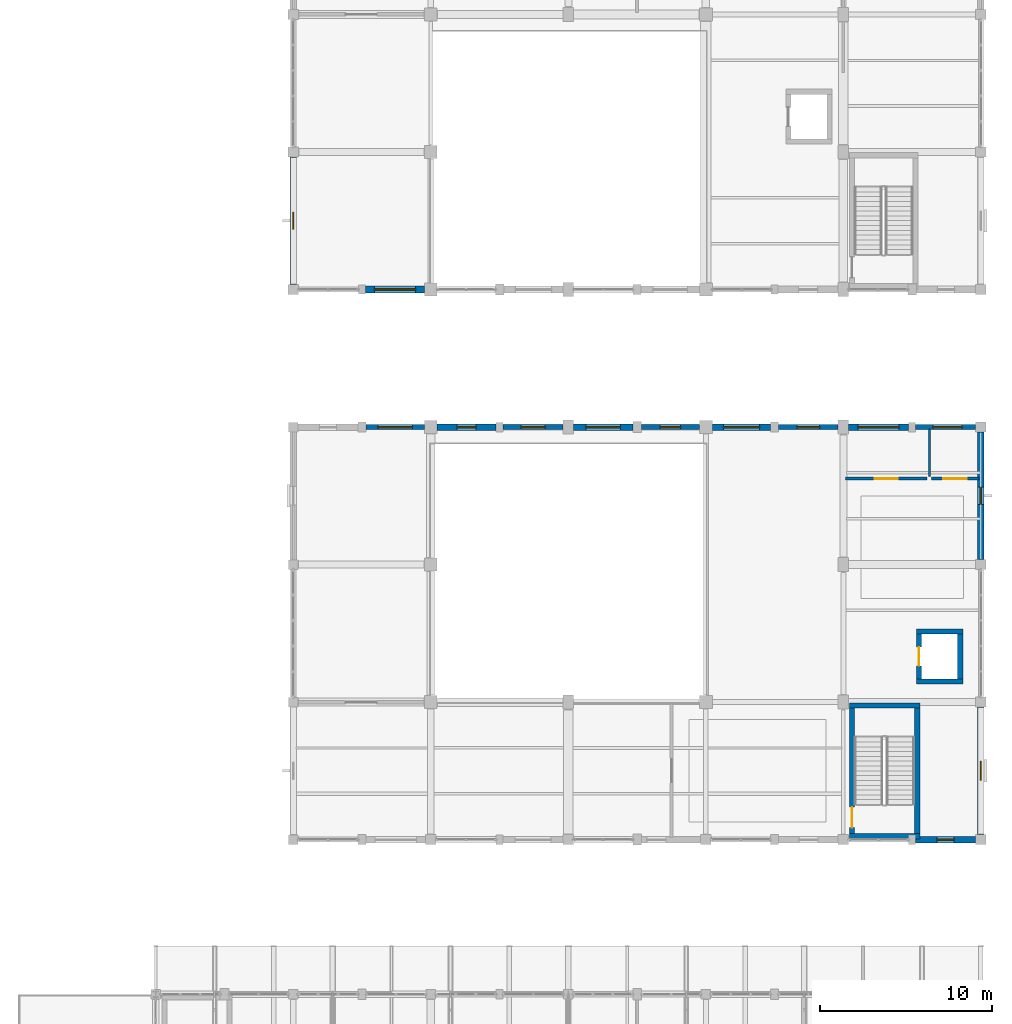
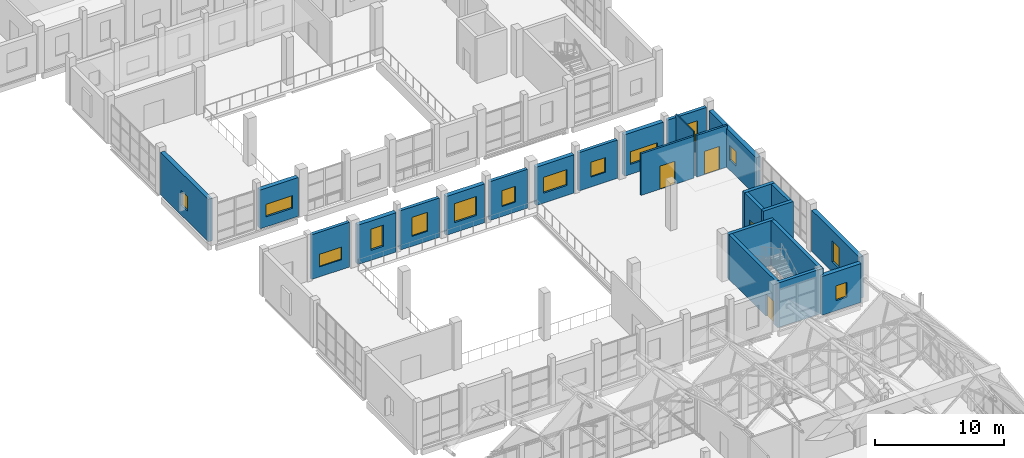
# One storey, part 149 of 183: 25 walls, 14 windows, 4 doors, 18 openings.
"""IFC4 building model written with IfcOpenShell, lengths in metres."""

from ifc_helpers import new_model, si_unit, direction, frame, frame_2d, origin, place, context, subcontext, project, spatial, rectangle, extrude, material, layer, layer_set, type_object, element, fill, save


model = new_model("IFC4")

# Units and contexts
model_context = context("Model", 3, precision=1e-05, world=origin(), true_north=direction((0.0, 1.0)))
body_context = subcontext(model_context, "Body", "Model", "MODEL_VIEW")
ifc_project = project(units=[si_unit("LENGTHUNIT", "METRE"), si_unit("AREAUNIT", "SQUARE_METRE"), si_unit("VOLUMEUNIT", "CUBIC_METRE"), si_unit("PLANEANGLEUNIT", "RADIAN"), si_unit("MASSUNIT", "GRAM", prefix="KILO")], contexts=[model_context])

# Site, building, storey
site_placement = place(None, origin())
site = spatial("IfcSite", under=ifc_project, at=site_placement, CompositionType="ELEMENT")
building_placement = place(site_placement, origin())
building = spatial("IfcBuilding", under=site, at=building_placement, Name="Luwemba Playhouse", CompositionType="ELEMENT")
storey_placement = place(building_placement, frame((0.0, 0.0, 4.800048828125)))
storey = spatial("IfcBuildingStorey", under=building, at=storey_placement, Name="L01", CompositionType="ELEMENT", Elevation=4.800048828125)

# Wall, opening, window
ifc_material_1 = material(Name="Clay facing brick obra vista masonry", Category="masonry")
ifc_layer_1 = layer(ifc_material_1, 0.3798828125)
ifc_layer_set_1 = layer_set([ifc_layer_1], Name="Clay facing brick obra vista masonry")
wall_type_1 = type_object("IfcWallType", Name="WAL-BRK-380", PredefinedType="SOLIDWALL", material=ifc_layer_set_1)
wall_1_placement = place(storey_placement, frame((140.375, 60.0, 0.0), z_axis=(0.0, 0.0, 1.0), x_axis=(1.0, 0.0, 0.0)))
wall_1 = element("IfcWall", 1, at=wall_1_placement, inside=storey, type_object=wall_type_1, Name="L01 V3 exterior facade wall 0166", PredefinedType="SOLIDWALL", context=body_context, shape_type="SweptSolid", body=[
    extrude(rectangle(XDim=3.425048828125, YDim=0.3798828125, at=frame_2d((1.71240234375, 0.0))), origin(), (0.0, 0.0, 1.0), 3.73486328125),
])
opening_1_placement = place(wall_1_placement, frame((1.16259765625, 0.0, 0.949951171875)))
opening_1 = element("IfcOpeningElement", 2, at=opening_1_placement, cuts=wall_1, Name="Opening WN-19", PredefinedType="OPENING", context=body_context, shape_type="SweptSolid", body=[
    extrude(rectangle(XDim=1.10009765625, YDim=2.0, at=frame_2d((0.550048828125, 1.0))), frame((0.0, 0.199951171875, 0.0), z_axis=(0.0, -1.0, 0.0), x_axis=(1.0, 0.0, 0.0)), (0.0, 0.0, 1.0), 0.39990234375),
])
ifc_material_2 = material(Name="Solar-control double glazing in aluminium frame", Category="aluminium")
window_type_1 = type_object("IfcWindowType", Name="WIN-WN-19", PartitioningType="SINGLE_PANEL", PredefinedType="WINDOW", material=ifc_material_2)
window_1_placement = place(opening_1_placement, origin())
window_1 = element("IfcWindow", 3, at=window_1_placement, inside=storey, type_object=window_type_1, Name="L01 V3 scheduled window 0115", OverallHeight=2.0, OverallWidth=1.10009765625, PartitioningType="SINGLE_PANEL", PredefinedType="WINDOW", context=body_context, shape_type="SweptSolid", body=[
    extrude(rectangle(XDim=1.10009765625, YDim=2.0, at=frame_2d((0.550048828125, 1.0))), frame((0.0, 0.030029296875, 0.0), z_axis=(0.0, -1.0, 0.0), x_axis=(1.0, 0.0, 0.0)), (0.0, 0.0, 1.0), 0.06005859375),
])
fill(opening_1, window_1)

wall_2_placement = place(storey_placement, frame((148.300048828125, 60.0, 0.0), z_axis=(0.0, 0.0, 1.0), x_axis=(1.0, 0.0, 0.0)))
wall_2 = element("IfcWall", 4, at=wall_2_placement, inside=storey, type_object=wall_type_1, Name="L01 V3 exterior facade wall 0168", PredefinedType="SOLIDWALL", context=body_context, shape_type="SweptSolid", body=[
    extrude(rectangle(XDim=3.449951171875, YDim=0.3798828125, at=frame_2d((1.72509765625, 0.0))), origin(), (0.0, 0.0, 1.0), 3.68505859375),
])
opening_2_placement = place(wall_2_placement, frame((0.72509765625, 0.0, 0.949951171875)))
opening_2 = element("IfcOpeningElement", 5, at=opening_2_placement, cuts=wall_2, Name="Opening WN-05", PredefinedType="OPENING", context=body_context, shape_type="SweptSolid", body=[
    extrude(rectangle(XDim=2.0, YDim=1.800048828125, at=frame_2d((1.0, 0.89990234375))), frame((0.0, 0.199951171875, 0.0), z_axis=(0.0, -1.0, 0.0), x_axis=(1.0, 0.0, 0.0)), (0.0, 0.0, 1.0), 0.39990234375),
])
window_type_2 = type_object("IfcWindowType", Name="WIN-WN-05", PartitioningType="TRIPLE_PANEL_VERTICAL", PredefinedType="WINDOW", material=ifc_material_2)
window_2_placement = place(opening_2_placement, origin())
window_2 = element("IfcWindow", 6, at=window_2_placement, inside=storey, type_object=window_type_2, Name="L01 V3 scheduled window 0117", OverallHeight=1.800048828125, OverallWidth=2.0, PartitioningType="TRIPLE_PANEL_VERTICAL", PredefinedType="WINDOW", context=body_context, shape_type="SweptSolid", body=[
    extrude(rectangle(XDim=2.0, YDim=1.800048828125, at=frame_2d((1.0, 0.89990234375))), frame((0.0, 0.030029296875, 0.0), z_axis=(0.0, -1.0, 0.0), x_axis=(1.0, 0.0, 0.0)), (0.0, 0.0, 1.0), 0.06005859375),
])
fill(opening_2, window_2)

wall_3_placement = place(storey_placement, frame((156.375, 60.0, 0.0), z_axis=(0.0, 0.0, 1.0), x_axis=(1.0, 0.0, 0.0)))
wall_3 = element("IfcWall", 7, at=wall_3_placement, inside=storey, type_object=wall_type_1, Name="L01 V3 exterior facade wall 0170", PredefinedType="SOLIDWALL", context=body_context, shape_type="SweptSolid", body=[
    extrude(rectangle(XDim=3.39990234375, YDim=0.3798828125, at=frame_2d((1.699951171875, 0.0))), origin(), (0.0, 0.0, 1.0), 3.635009765625),
])
opening_3_placement = place(wall_3_placement, frame((0.64990234375, 0.0, 0.949951171875)))
opening_3 = element("IfcOpeningElement", 8, at=opening_3_placement, cuts=wall_3, Name="Opening WN-11", PredefinedType="OPENING", context=body_context, shape_type="SweptSolid", body=[
    extrude(rectangle(XDim=2.10009765625, YDim=1.5, at=frame_2d((1.050048828125, 0.75))), frame((0.0, 0.199951171875, 0.0), z_axis=(0.0, -1.0, 0.0), x_axis=(1.0, 0.0, 0.0)), (0.0, 0.0, 1.0), 0.39990234375),
])
window_type_3 = type_object("IfcWindowType", Name="WIN-WN-11", PartitioningType="TRIPLE_PANEL_VERTICAL", PredefinedType="WINDOW", material=ifc_material_2)
window_3_placement = place(opening_3_placement, origin())
window_3 = element("IfcWindow", 9, at=window_3_placement, inside=storey, type_object=window_type_3, Name="L01 V3 scheduled window 0119", OverallHeight=1.5, OverallWidth=2.10009765625, PartitioningType="TRIPLE_PANEL_VERTICAL", PredefinedType="WINDOW", context=body_context, shape_type="SweptSolid", body=[
    extrude(rectangle(XDim=2.10009765625, YDim=1.5, at=frame_2d((1.050048828125, 0.75))), frame((0.0, 0.030029296875, 0.0), z_axis=(0.0, -1.0, 0.0), x_axis=(1.0, 0.0, 0.0)), (0.0, 0.0, 1.0), 0.06005859375),
])
fill(opening_3, window_3)

wall_4_placement = place(storey_placement, frame((164.300048828125, 60.0, 0.0), z_axis=(0.0, 0.0, 1.0), x_axis=(1.0, 0.0, 0.0)))
wall_4 = element("IfcWall", 10, at=wall_4_placement, inside=storey, type_object=wall_type_1, Name="L01 V3 exterior facade wall 0172", PredefinedType="SOLIDWALL", context=body_context, shape_type="SweptSolid", body=[
    extrude(rectangle(XDim=3.5, YDim=0.3798828125, at=frame_2d((1.75, 0.0))), origin(), (0.0, 0.0, 1.0), 3.93505859375),
])
opening_4_placement = place(wall_4_placement, frame((0.550048828125, 0.0, 0.949951171875)))
opening_4 = element("IfcOpeningElement", 11, at=opening_4_placement, cuts=wall_4, Name="Opening WN-17", PredefinedType="OPENING", context=body_context, shape_type="SweptSolid", body=[
    extrude(rectangle(XDim=2.39990234375, YDim=1.199951171875, at=frame_2d((1.199951171875, 0.60009765625))), frame((0.0, 0.199951171875, 0.0), z_axis=(0.0, -1.0, 0.0), x_axis=(1.0, 0.0, 0.0)), (0.0, 0.0, 1.0), 0.39990234375),
])
window_type_4 = type_object("IfcWindowType", Name="WIN-WN-17", PartitioningType="TRIPLE_PANEL_HORIZONTAL", PredefinedType="WINDOW", material=ifc_material_2)
window_4_placement = place(opening_4_placement, origin())
window_4 = element("IfcWindow", 12, at=window_4_placement, inside=storey, type_object=window_type_4, Name="L01 V3 scheduled window 0121", OverallHeight=1.199951171875, OverallWidth=2.39990234375, PartitioningType="TRIPLE_PANEL_HORIZONTAL", PredefinedType="WINDOW", context=body_context, shape_type="SweptSolid", body=[
    extrude(rectangle(XDim=2.39990234375, YDim=1.199951171875, at=frame_2d((1.199951171875, 0.60009765625))), frame((0.0, 0.030029296875, 0.0), z_axis=(0.0, -1.0, 0.0), x_axis=(1.0, 0.0, 0.0)), (0.0, 0.0, 1.0), 0.06005859375),
])
fill(opening_4, window_4)

wall_5_placement = place(storey_placement, frame((172.0, 59.699951171875, 0.0), z_axis=(0.0, 0.0, 1.0), x_axis=(0.0, -1.0, 0.0)))
wall_5 = element("IfcWall", 13, at=wall_5_placement, inside=storey, type_object=wall_type_1, Name="L01 V3 exterior facade wall 0174", PredefinedType="SOLIDWALL", context=body_context, shape_type="SweptSolid", body=[
    extrude(rectangle(XDim=7.39990234375, YDim=0.3798828125, at=frame_2d((3.699951171875, 0.0))), origin(), (0.0, 0.0, 1.0), 3.68505859375),
])
opening_5_placement = place(wall_5_placement, frame((3.199951171875, 0.0, 0.949951171875)))
opening_5 = element("IfcOpeningElement", 14, at=opening_5_placement, cuts=wall_5, Name="Opening WN-13", PredefinedType="OPENING", context=body_context, shape_type="SweptSolid", body=[
    extrude(rectangle(XDim=1.0, YDim=1.39990234375, at=frame_2d((0.5, 0.699951171875))), frame((0.0, 0.199951171875, 0.0), z_axis=(0.0, -1.0, 0.0), x_axis=(1.0, 0.0, 0.0)), (0.0, 0.0, 1.0), 0.39990234375),
])
window_type_5 = type_object("IfcWindowType", Name="WIN-WN-13", PartitioningType="SINGLE_PANEL", PredefinedType="WINDOW", material=ifc_material_2)
window_5_placement = place(opening_5_placement, origin())
window_5 = element("IfcWindow", 15, at=window_5_placement, inside=storey, type_object=window_type_5, Name="L01 V3 scheduled window 0123", OverallHeight=1.39990234375, OverallWidth=1.0, PartitioningType="SINGLE_PANEL", PredefinedType="WINDOW", context=body_context, shape_type="SweptSolid", body=[
    extrude(rectangle(XDim=1.0, YDim=1.39990234375, at=frame_2d((0.5, 0.699951171875))), frame((0.0, 0.030029296875, 0.0), z_axis=(0.0, -1.0, 0.0), x_axis=(1.0, 0.0, 0.0)), (0.0, 0.0, 1.0), 0.06005859375),
])
fill(opening_5, window_5)

wall_6_placement = place(storey_placement, frame((172.0, 43.699951171875, 0.0), z_axis=(0.0, 0.0, 1.0), x_axis=(0.0, -1.0, 0.0)))
wall_6 = element("IfcWall", 16, at=wall_6_placement, inside=storey, type_object=wall_type_1, Name="L01 V3 exterior facade wall 0175", PredefinedType="SOLIDWALL", context=body_context, shape_type="SweptSolid", body=[
    extrude(rectangle(XDim=7.39990234375, YDim=0.3798828125, at=frame_2d((3.699951171875, 0.0))), origin(), (0.0, 0.0, 1.0), 3.93505859375),
])
opening_6_placement = place(wall_6_placement, frame((3.14990234375, 0.0, 0.949951171875)))
opening_6 = element("IfcOpeningElement", 17, at=opening_6_placement, cuts=wall_6, Name="Opening WN-19", PredefinedType="OPENING", context=body_context, shape_type="SweptSolid", body=[
    extrude(rectangle(XDim=1.10009765625, YDim=2.0, at=frame_2d((0.550048828125, 1.0))), frame((0.0, 0.199951171875, 0.0), z_axis=(0.0, -1.0, 0.0), x_axis=(1.0, 0.0, 0.0)), (0.0, 0.0, 1.0), 0.39990234375),
])
window_6_placement = place(opening_6_placement, origin())
window_6 = element("IfcWindow", 18, at=window_6_placement, inside=storey, type_object=window_type_1, Name="L01 V3 scheduled window 0124", OverallHeight=2.0, OverallWidth=1.10009765625, PartitioningType="SINGLE_PANEL", PredefinedType="WINDOW", context=body_context, shape_type="SweptSolid", body=[
    extrude(rectangle(XDim=1.10009765625, YDim=2.0, at=frame_2d((0.550048828125, 1.0))), frame((0.0, 0.030029296875, 0.0), z_axis=(0.0, -1.0, 0.0), x_axis=(1.0, 0.0, 0.0)), (0.0, 0.0, 1.0), 0.06005859375),
])
fill(opening_6, window_6)

wall_7_placement = place(storey_placement, frame((171.699951171875, 36.0, 0.0), z_axis=(0.0, 0.0, 1.0), x_axis=(-1.0, 0.0, 0.0)))
wall_7 = element("IfcWall", 19, at=wall_7_placement, inside=storey, type_object=wall_type_1, Name="L01 V3 exterior facade wall 0176", PredefinedType="SOLIDWALL", context=body_context, shape_type="SweptSolid", body=[
    extrude(rectangle(XDim=3.5, YDim=0.3798828125, at=frame_2d((1.75, 0.0))), origin(), (0.0, 0.0, 1.0), 3.68505859375),
])
opening_7_placement = place(wall_7_placement, frame((1.25, 0.0, 0.949951171875)))
opening_7 = element("IfcOpeningElement", 20, at=opening_7_placement, cuts=wall_7, Name="Opening WN-13", PredefinedType="OPENING", context=body_context, shape_type="SweptSolid", body=[
    extrude(rectangle(XDim=1.0, YDim=1.39990234375, at=frame_2d((0.5, 0.699951171875))), frame((0.0, 0.199951171875, 0.0), z_axis=(0.0, -1.0, 0.0), x_axis=(1.0, 0.0, 0.0)), (0.0, 0.0, 1.0), 0.39990234375),
])
window_7_placement = place(opening_7_placement, origin())
window_7 = element("IfcWindow", 21, at=window_7_placement, inside=storey, type_object=window_type_5, Name="L01 V3 scheduled window 0125", OverallHeight=1.39990234375, OverallWidth=1.0, PartitioningType="SINGLE_PANEL", PredefinedType="WINDOW", context=body_context, shape_type="SweptSolid", body=[
    extrude(rectangle(XDim=1.0, YDim=1.39990234375, at=frame_2d((0.5, 0.699951171875))), frame((0.0, 0.030029296875, 0.0), z_axis=(0.0, -1.0, 0.0), x_axis=(1.0, 0.0, 0.0)), (0.0, 0.0, 1.0), 0.06005859375),
])
fill(opening_7, window_7)

wall_8_placement = place(storey_placement, frame((132.0, 68.300048828125, 0.0), z_axis=(0.0, 0.0, 1.0), x_axis=(0.0, 1.0, 0.0)))
wall_8 = element("IfcWall", 22, at=wall_8_placement, inside=storey, type_object=wall_type_1, Name="L01 V4 exterior facade wall 0181", PredefinedType="SOLIDWALL", context=body_context, shape_type="SweptSolid", body=[
    extrude(rectangle(XDim=7.39990234375, YDim=0.3798828125, at=frame_2d((3.699951171875, 0.0))), origin(), (0.0, 0.0, 1.0), 4.034912109375),
])
opening_8_placement = place(wall_8_placement, frame((3.199951171875, 0.0, 0.949951171875)))
opening_8 = element("IfcOpeningElement", 23, at=opening_8_placement, cuts=wall_8, Name="Opening WN-13", PredefinedType="OPENING", context=body_context, shape_type="SweptSolid", body=[
    extrude(rectangle(XDim=1.0, YDim=1.39990234375, at=frame_2d((0.5, 0.699951171875))), frame((0.0, 0.199951171875, 0.0), z_axis=(0.0, -1.0, 0.0), x_axis=(1.0, 0.0, 0.0)), (0.0, 0.0, 1.0), 0.39990234375),
])
window_8_placement = place(opening_8_placement, origin())
window_8 = element("IfcWindow", 24, at=window_8_placement, inside=storey, type_object=window_type_5, Name="L01 V4 scheduled window 0130", OverallHeight=1.39990234375, OverallWidth=1.0, PartitioningType="SINGLE_PANEL", PredefinedType="WINDOW", context=body_context, shape_type="SweptSolid", body=[
    extrude(rectangle(XDim=1.0, YDim=1.39990234375, at=frame_2d((0.5, 0.699951171875))), frame((0.0, 0.030029296875, 0.0), z_axis=(0.0, -1.0, 0.0), x_axis=(1.0, 0.0, 0.0)), (0.0, 0.0, 1.0), 0.06005859375),
])
fill(opening_8, window_8)

wall_9_placement = place(storey_placement, frame((139.625, 68.0, 0.0), z_axis=(0.0, 0.0, 1.0), x_axis=(-1.0, 0.0, 0.0)))
wall_9 = element("IfcWall", 25, at=wall_9_placement, inside=storey, type_object=wall_type_1, Name="L01 V4 exterior facade wall 0199", PredefinedType="SOLIDWALL", context=body_context, shape_type="SweptSolid", body=[
    extrude(rectangle(XDim=3.425048828125, YDim=0.3798828125, at=frame_2d((1.71240234375, 0.0))), origin(), (0.0, 0.0, 1.0), 3.68505859375),
])
opening_9_placement = place(wall_9_placement, frame((0.512451171875, 0.0, 0.949951171875)))
opening_9 = element("IfcOpeningElement", 26, at=opening_9_placement, cuts=wall_9, Name="Opening WN-17", PredefinedType="OPENING", context=body_context, shape_type="SweptSolid", body=[
    extrude(rectangle(XDim=2.39990234375, YDim=1.199951171875, at=frame_2d((1.199951171875, 0.60009765625))), frame((0.0, 0.199951171875, 0.0), z_axis=(0.0, -1.0, 0.0), x_axis=(1.0, 0.0, 0.0)), (0.0, 0.0, 1.0), 0.39990234375),
])
window_9_placement = place(opening_9_placement, origin())
window_9 = element("IfcWindow", 27, at=window_9_placement, inside=storey, type_object=window_type_4, Name="L01 V4 scheduled window 0148", OverallHeight=1.199951171875, OverallWidth=2.39990234375, PartitioningType="TRIPLE_PANEL_HORIZONTAL", PredefinedType="WINDOW", context=body_context, shape_type="SweptSolid", body=[
    extrude(rectangle(XDim=2.39990234375, YDim=1.199951171875, at=frame_2d((1.199951171875, 0.60009765625))), frame((0.0, 0.030029296875, 0.0), z_axis=(0.0, -1.0, 0.0), x_axis=(1.0, 0.0, 0.0)), (0.0, 0.0, 1.0), 0.06005859375),
])
fill(opening_9, window_9)

# Walls
ifc_material_3 = material(Name="Concrete C40/50", Category="concrete")
ifc_layer_2 = layer(ifc_material_3, 0.300048828125)
ifc_layer_set_2 = layer_set([ifc_layer_2], Name="Concrete C40/50")
wall_type_2 = type_object("IfcWallType", Name="WAL-CORE-300", PredefinedType="SHEAR", material=ifc_layer_set_2)
for number, where, z_axis, x_axis, name in (
    (28, (164.35009765625, 36.18994140625, 0.0), (0.0, 0.0, 1.0), (1.0, 0.0, 0.0), "L01 ST-06 stair core wall S"),
    (29, (168.449951171875, 43.81005859375, 0.0), (0.0, 0.0, 1.0), (-1.0, 0.0, 0.0), "L01 ST-06 stair core wall N"),
):
    element("IfcWall", number, at=place(storey_placement, frame(where, z_axis=z_axis, x_axis=x_axis)), inside=storey, type_object=wall_type_2, Name=name, PredefinedType="SHEAR", context=body_context, shape_type="SweptSolid", body=[
        extrude(rectangle(XDim=4.099853515625, YDim=0.300048828125, at=frame_2d((2.0498046875, 0.0))), origin(), (0.0, 0.0, 1.0), 4.25),
    ])

# Wall, opening, door
wall_10_placement = place(storey_placement, frame((164.5, 43.659912109375, 0.0), z_axis=(0.0, 0.0, 1.0), x_axis=(0.0, -1.0, 0.0)))
wall_10 = element("IfcWall", 30, at=wall_10_placement, inside=storey, type_object=wall_type_2, Name="L01 ST-06 stair core wall W", PredefinedType="SHEAR", context=body_context, shape_type="SweptSolid", body=[
    extrude(rectangle(XDim=7.31982421875, YDim=0.300048828125, at=frame_2d((3.659912109375, 0.0))), origin(), (0.0, 0.0, 1.0), 4.25),
])
opening_10_placement = place(wall_10_placement, frame((5.77001953125, 0.0, 0.0)))
opening_10 = element("IfcOpeningElement", 31, at=opening_10_placement, cuts=wall_10, Name="Opening D-STAIR3", PredefinedType="OPENING", context=body_context, shape_type="SweptSolid", body=[
    extrude(rectangle(XDim=1.199951171875, YDim=2.14990234375, at=frame_2d((0.60009765625, 1.074951171875))), frame((0.0, 0.159912109375, 0.0), z_axis=(0.0, -1.0, 0.0), x_axis=(1.0, 0.0, 0.0)), (0.0, 0.0, 1.0), 0.320068359375),
])
ifc_material_4 = material(Name="Hardwood acoustic fire door leaf", Category="wood")
door_type_1 = type_object("IfcDoorType", Name="DR-STAIR-120", OperationType="NOTDEFINED", PredefinedType="DOOR", material=ifc_material_4)
door_1_placement = place(opening_10_placement, origin())
door_1 = element("IfcDoor", 32, at=door_1_placement, inside=storey, type_object=door_type_1, Name="L01 ST-06 protected stair entry door", OperationType="SINGLE_SWING_RIGHT", OverallHeight=2.14990234375, OverallWidth=1.199951171875, PredefinedType="DOOR", context=body_context, shape_type="SweptSolid", body=[
    extrude(rectangle(XDim=1.199951171875, YDim=2.14990234375, at=frame_2d((0.60009765625, 1.074951171875))), frame((0.0, 0.02490234375, 0.0), z_axis=(0.0, -1.0, 0.0), x_axis=(1.0, 0.0, 0.0)), (0.0, 0.0, 1.0), 0.050048828125),
])
fill(opening_10, door_1)

# Walls
wall_11_placement = place(storey_placement, frame((168.300048828125, 43.659912109375, 0.0), z_axis=(0.0, 0.0, 1.0), x_axis=(0.0, -1.0, 0.0)))
element("IfcWall", 33, at=wall_11_placement, inside=storey, type_object=wall_type_2, Name="L01 ST-06 stair core wall E", PredefinedType="SHEAR", context=body_context, shape_type="SweptSolid", body=[
    extrude(rectangle(XDim=7.31982421875, YDim=0.300048828125, at=frame_2d((3.659912109375, 0.0))), origin(), (0.0, 0.0, 1.0), 4.25),
])
for number, where, z_axis, x_axis, name in (
    (34, (168.25, 45.199951171875, 0.0), (0.0, 0.0, 1.0), (1.0, 0.0, 0.0), "L01 Lift LF-P3 shaft wall S"),
    (35, (170.949951171875, 48.10009765625, 0.0), (0.0, 0.0, 1.0), (-1.0, 0.0, 0.0), "L01 Lift LF-P3 shaft wall N"),
):
    element("IfcWall", number, at=place(storey_placement, frame(where, z_axis=z_axis, x_axis=x_axis)), inside=storey, type_object=wall_type_2, Name=name, PredefinedType="SHEAR", context=body_context, shape_type="SweptSolid", body=[
        extrude(rectangle(XDim=2.699951171875, YDim=0.300048828125, at=frame_2d((1.35009765625, 0.0))), origin(), (0.0, 0.0, 1.0), 4.25),
    ])

# Wall, opening, door
wall_12_placement = place(storey_placement, frame((168.39990234375, 45.35009765625, 0.0), z_axis=(0.0, 0.0, 1.0), x_axis=(0.0, 1.0, 0.0)))
wall_12 = element("IfcWall", 36, at=wall_12_placement, inside=storey, type_object=wall_type_2, Name="L01 Lift LF-P3 shaft wall W", PredefinedType="SHEAR", context=body_context, shape_type="SweptSolid", body=[
    extrude(rectangle(XDim=2.599853515625, YDim=0.300048828125, at=frame_2d((1.2998046875, 0.0))), origin(), (0.0, 0.0, 1.0), 4.25),
])
opening_11_placement = place(wall_12_placement, frame((0.75, 0.0, 0.0)))
opening_11 = element("IfcOpeningElement", 37, at=opening_11_placement, cuts=wall_12, Name="Opening LD-01", PredefinedType="OPENING", context=body_context, shape_type="SweptSolid", body=[
    extrude(rectangle(XDim=1.10009765625, YDim=2.14990234375, at=frame_2d((0.550048828125, 1.074951171875))), frame((0.0, 0.159912109375, 0.0), z_axis=(0.0, -1.0, 0.0), x_axis=(1.0, 0.0, 0.0)), (0.0, 0.0, 1.0), 0.320068359375),
])
ifc_material_5 = material(Name="Stainless steel lift landing doors", Category="steel")
door_type_2 = type_object("IfcDoorType", Name="DR-LIFT-110", OperationType="NOTDEFINED", PredefinedType="DOOR", material=ifc_material_5)
door_2_placement = place(opening_11_placement, origin())
door_2 = element("IfcDoor", 38, at=door_2_placement, inside=storey, type_object=door_type_2, Name="L01 Lift LF-P3 landing door", OperationType="DOUBLE_DOOR_SLIDING", OverallHeight=2.14990234375, OverallWidth=1.10009765625, PredefinedType="DOOR", context=body_context, shape_type="SweptSolid", body=[
    extrude(rectangle(XDim=1.10009765625, YDim=2.14990234375, at=frame_2d((0.550048828125, 1.074951171875))), frame((0.0, 0.02490234375, 0.0), z_axis=(0.0, -1.0, 0.0), x_axis=(1.0, 0.0, 0.0)), (0.0, 0.0, 1.0), 0.050048828125),
])
fill(opening_11, door_2)

# Walls
wall_13_placement = place(storey_placement, frame((170.800048828125, 47.949951171875, 0.0), z_axis=(0.0, 0.0, 1.0), x_axis=(0.0, -1.0, 0.0)))
element("IfcWall", 39, at=wall_13_placement, inside=storey, type_object=wall_type_2, Name="L01 Lift LF-P3 shaft wall E", PredefinedType="SHEAR", context=body_context, shape_type="SweptSolid", body=[
    extrude(rectangle(XDim=2.599853515625, YDim=0.300048828125, at=frame_2d((1.2998046875, 0.0))), origin(), (0.0, 0.0, 1.0), 4.25),
])
ifc_material_6 = material(Name="Moisture-resistant sanitary partition", Category="gypsum")
ifc_layer_3 = layer(ifc_material_6, 0.1201171875)
ifc_layer_set_3 = layer_set([ifc_layer_3], Name="Moisture-resistant sanitary partition")
wall_type_3 = type_object("IfcWallType", Name="WAL-INT-120", PredefinedType="PARTITIONING", material=ifc_layer_set_3)
wall_14_placement = place(storey_placement, frame((169.0, 57.1201171875, 0.0), z_axis=(0.0, 0.0, 1.0), x_axis=(0.0, 1.0, 0.0)))
element("IfcWall", 40, at=wall_14_placement, inside=storey, type_object=wall_type_3, Name="L01 V3 interior partition 0129", PredefinedType="PARTITIONING", context=body_context, shape_type="SweptSolid", body=[
    extrude(rectangle(XDim=2.759765625, YDim=0.1201171875, at=frame_2d((1.3798828125, 0.0))), origin(), (0.0, 0.0, 1.0), 4.25),
])

# Wall, opening, door
ifc_material_7 = material(Name="Double-stud acoustic gypsum partition", Category="gypsum")
ifc_layer_4 = layer(ifc_material_7, 0.179931640625)
ifc_layer_set_4 = layer_set([ifc_layer_4], Name="Double-stud acoustic gypsum partition")
wall_type_4 = type_object("IfcWallType", Name="WAL-INT-180", PredefinedType="PARTITIONING", material=ifc_layer_set_4)
wall_15_placement = place(storey_placement, frame((169.1201171875, 57.0, 0.0), z_axis=(0.0, 0.0, 1.0), x_axis=(1.0, 0.0, 0.0)))
wall_15 = element("IfcWall", 41, at=wall_15_placement, inside=storey, type_object=wall_type_4, Name="L01 V3 interior partition 0127", PredefinedType="PARTITIONING", context=body_context, shape_type="SweptSolid", body=[
    extrude(rectangle(XDim=2.759765625, YDim=0.179931640625, at=frame_2d((1.3798828125, 0.0))), origin(), (0.0, 0.0, 1.0), 3.96484375),
])
opening_12_placement = place(wall_15_placement, frame((0.705078125, 0.0, 0.0)))
opening_12 = element("IfcOpeningElement", 42, at=opening_12_placement, cuts=wall_15, Name="Opening D-STU1", PredefinedType="OPENING", context=body_context, shape_type="SweptSolid", body=[
    extrude(rectangle(XDim=1.35009765625, YDim=2.199951171875, at=frame_2d((0.675048828125, 1.10009765625))), frame((0.0, 0.099853515625, 0.0), z_axis=(0.0, -1.0, 0.0), x_axis=(1.0, 0.0, 0.0)), (0.0, 0.0, 1.0), 0.199951171875),
])
ifc_material_8 = material(Name="Acoustic studio door", Category="wood")
door_type_3 = type_object("IfcDoorType", Name="DR-STU-135", OperationType="NOTDEFINED", PredefinedType="DOOR", material=ifc_material_8)
door_3_placement = place(opening_12_placement, origin())
door_3 = element("IfcDoor", 43, at=door_3_placement, inside=storey, type_object=door_type_3, Name="L01 Experimental Drama Studio to Studio Upper Accessible WC door", OperationType="SINGLE_SWING_RIGHT", OverallHeight=2.199951171875, OverallWidth=1.35009765625, PredefinedType="DOOR", context=body_context, shape_type="SweptSolid", body=[
    extrude(rectangle(XDim=1.35009765625, YDim=2.199951171875, at=frame_2d((0.675048828125, 1.10009765625))), frame((0.0, 0.02490234375, 0.0), z_axis=(0.0, -1.0, 0.0), x_axis=(1.0, 0.0, 0.0)), (0.0, 0.0, 1.0), 0.050048828125),
])
fill(opening_12, door_3)

wall_16_placement = place(storey_placement, frame((164.1201171875, 57.0, 0.0), z_axis=(0.0, 0.0, 1.0), x_axis=(1.0, 0.0, 0.0)))
wall_16 = element("IfcWall", 44, at=wall_16_placement, inside=storey, type_object=wall_type_4, Name="L01 V3 interior partition 0128", PredefinedType="PARTITIONING", context=body_context, shape_type="SweptSolid", body=[
    extrude(rectangle(XDim=4.759765625, YDim=0.179931640625, at=frame_2d((2.3798828125, 0.0))), origin(), (0.0, 0.0, 1.0), 3.96484375),
])
opening_13_placement = place(wall_16_placement, frame((1.705078125, 0.0, 0.0)))
opening_13 = element("IfcOpeningElement", 45, at=opening_13_placement, cuts=wall_16, Name="Opening D-STU1", PredefinedType="OPENING", context=body_context, shape_type="SweptSolid", body=[
    extrude(rectangle(XDim=1.35009765625, YDim=2.199951171875, at=frame_2d((0.675048828125, 1.10009765625))), frame((0.0, 0.099853515625, 0.0), z_axis=(0.0, -1.0, 0.0), x_axis=(1.0, 0.0, 0.0)), (0.0, 0.0, 1.0), 0.199951171875),
])
door_4_placement = place(opening_13_placement, origin())
door_4 = element("IfcDoor", 46, at=door_4_placement, inside=storey, type_object=door_type_3, Name="L01 Experimental Drama Studio to Studio Upper Toilets door", OperationType="SINGLE_SWING_LEFT", OverallHeight=2.199951171875, OverallWidth=1.35009765625, PredefinedType="DOOR", context=body_context, shape_type="SweptSolid", body=[
    extrude(rectangle(XDim=1.35009765625, YDim=2.199951171875, at=frame_2d((0.675048828125, 1.10009765625))), frame((0.0, 0.02490234375, 0.0), z_axis=(0.0, -1.0, 0.0), x_axis=(1.0, 0.0, 0.0)), (0.0, 0.0, 1.0), 0.050048828125),
])
fill(opening_13, door_4)

# Wall, opening, window
ifc_material_9 = material(Name="Structural timber GL24h infill", Category="wood")
ifc_layer_5 = layer(ifc_material_9, 0.280029296875)
ifc_layer_set_5 = layer_set([ifc_layer_5], Name="Structural timber GL24h infill")
wall_type_5 = type_object("IfcWallType", Name="WAL-TIM-280", PredefinedType="SOLIDWALL", material=ifc_layer_set_5)
wall_17_placement = place(storey_placement, frame((136.22509765625, 60.0, 0.0), z_axis=(0.0, 0.0, 1.0), x_axis=(1.0, 0.0, 0.0)))
wall_17 = element("IfcWall", 47, at=wall_17_placement, inside=storey, type_object=wall_type_5, Name="L01 V3 exterior facade wall 0165", PredefinedType="SOLIDWALL", context=body_context, shape_type="SweptSolid", body=[
    extrude(rectangle(XDim=3.39990234375, YDim=0.280029296875, at=frame_2d((1.699951171875, 0.0))), origin(), (0.0, 0.0, 1.0), 4.25),
])
opening_14_placement = place(wall_17_placement, frame((0.699951171875, 0.0, 0.949951171875)))
opening_14 = element("IfcOpeningElement", 48, at=opening_14_placement, cuts=wall_17, Name="Opening WN-16", PredefinedType="OPENING", context=body_context, shape_type="SweptSolid", body=[
    extrude(rectangle(XDim=2.0, YDim=1.199951171875, at=frame_2d((1.0, 0.60009765625))), frame((0.0, 0.14990234375, 0.0), z_axis=(0.0, -1.0, 0.0), x_axis=(1.0, 0.0, 0.0)), (0.0, 0.0, 1.0), 0.300048828125),
])
window_type_6 = type_object("IfcWindowType", Name="WIN-WN-16", PartitioningType="DOUBLE_PANEL_HORIZONTAL", PredefinedType="WINDOW", material=ifc_material_2)
window_10_placement = place(opening_14_placement, origin())
window_10 = element("IfcWindow", 49, at=window_10_placement, inside=storey, type_object=window_type_6, Name="L01 V3 scheduled window 0114", OverallHeight=1.199951171875, OverallWidth=2.0, PartitioningType="DOUBLE_PANEL_HORIZONTAL", PredefinedType="WINDOW", context=body_context, shape_type="SweptSolid", body=[
    extrude(rectangle(XDim=2.0, YDim=1.199951171875, at=frame_2d((1.0, 0.60009765625))), frame((0.0, 0.030029296875, 0.0), z_axis=(0.0, -1.0, 0.0), x_axis=(1.0, 0.0, 0.0)), (0.0, 0.0, 1.0), 0.06005859375),
])
fill(opening_14, window_10)

wall_18_placement = place(storey_placement, frame((144.199951171875, 60.0, 0.0), z_axis=(0.0, 0.0, 1.0), x_axis=(1.0, 0.0, 0.0)))
wall_18 = element("IfcWall", 50, at=wall_18_placement, inside=storey, type_object=wall_type_5, Name="L01 V3 exterior facade wall 0167", PredefinedType="SOLIDWALL", context=body_context, shape_type="SweptSolid", body=[
    extrude(rectangle(XDim=3.5, YDim=0.280029296875, at=frame_2d((1.75, 0.0))), origin(), (0.0, 0.0, 1.0), 3.73486328125),
])
opening_15_placement = place(wall_18_placement, frame((1.050048828125, 0.0, 0.949951171875)))
opening_15 = element("IfcOpeningElement", 51, at=opening_15_placement, cuts=wall_18, Name="Opening WN-02", PredefinedType="OPENING", context=body_context, shape_type="SweptSolid", body=[
    extrude(rectangle(XDim=1.39990234375, YDim=1.800048828125, at=frame_2d((0.699951171875, 0.89990234375))), frame((0.0, 0.14990234375, 0.0), z_axis=(0.0, -1.0, 0.0), x_axis=(1.0, 0.0, 0.0)), (0.0, 0.0, 1.0), 0.300048828125),
])
window_type_7 = type_object("IfcWindowType", Name="WIN-WN-02", PartitioningType="DOUBLE_PANEL_VERTICAL", PredefinedType="WINDOW", material=ifc_material_2)
window_11_placement = place(opening_15_placement, origin())
window_11 = element("IfcWindow", 52, at=window_11_placement, inside=storey, type_object=window_type_7, Name="L01 V3 scheduled window 0116", OverallHeight=1.800048828125, OverallWidth=1.39990234375, PartitioningType="DOUBLE_PANEL_VERTICAL", PredefinedType="WINDOW", context=body_context, shape_type="SweptSolid", body=[
    extrude(rectangle(XDim=1.39990234375, YDim=1.800048828125, at=frame_2d((0.699951171875, 0.89990234375))), frame((0.0, 0.030029296875, 0.0), z_axis=(0.0, -1.0, 0.0), x_axis=(1.0, 0.0, 0.0)), (0.0, 0.0, 1.0), 0.06005859375),
])
fill(opening_15, window_11)

wall_19_placement = place(storey_placement, frame((152.25, 60.0, 0.0), z_axis=(0.0, 0.0, 1.0), x_axis=(1.0, 0.0, 0.0)))
wall_19 = element("IfcWall", 53, at=wall_19_placement, inside=storey, type_object=wall_type_5, Name="L01 V3 exterior facade wall 0169", PredefinedType="SOLIDWALL", context=body_context, shape_type="SweptSolid", body=[
    extrude(rectangle(XDim=3.375, YDim=0.280029296875, at=frame_2d((1.6875, 0.0))), origin(), (0.0, 0.0, 1.0), 3.68505859375),
])
opening_16_placement = place(wall_19_placement, frame((1.08740234375, 0.0, 0.949951171875)))
opening_16 = element("IfcOpeningElement", 54, at=opening_16_placement, cuts=wall_19, Name="Opening WN-08", PredefinedType="OPENING", context=body_context, shape_type="SweptSolid", body=[
    extrude(rectangle(XDim=1.199951171875, YDim=1.5, at=frame_2d((0.60009765625, 0.75))), frame((0.0, 0.14990234375, 0.0), z_axis=(0.0, -1.0, 0.0), x_axis=(1.0, 0.0, 0.0)), (0.0, 0.0, 1.0), 0.300048828125),
])
window_type_8 = type_object("IfcWindowType", Name="WIN-WN-08", PartitioningType="SINGLE_PANEL", PredefinedType="WINDOW", material=ifc_material_2)
window_12_placement = place(opening_16_placement, origin())
window_12 = element("IfcWindow", 55, at=window_12_placement, inside=storey, type_object=window_type_8, Name="L01 V3 scheduled window 0118", OverallHeight=1.5, OverallWidth=1.199951171875, PartitioningType="SINGLE_PANEL", PredefinedType="WINDOW", context=body_context, shape_type="SweptSolid", body=[
    extrude(rectangle(XDim=1.199951171875, YDim=1.5, at=frame_2d((0.60009765625, 0.75))), frame((0.0, 0.030029296875, 0.0), z_axis=(0.0, -1.0, 0.0), x_axis=(1.0, 0.0, 0.0)), (0.0, 0.0, 1.0), 0.06005859375),
])
fill(opening_16, window_12)

wall_20_placement = place(storey_placement, frame((160.22509765625, 60.0, 0.0), z_axis=(0.0, 0.0, 1.0), x_axis=(1.0, 0.0, 0.0)))
wall_20 = element("IfcWall", 56, at=wall_20_placement, inside=storey, type_object=wall_type_5, Name="L01 V3 exterior facade wall 0171", PredefinedType="SOLIDWALL", context=body_context, shape_type="SweptSolid", body=[
    extrude(rectangle(XDim=3.474853515625, YDim=0.280029296875, at=frame_2d((1.7373046875, 0.0))), origin(), (0.0, 0.0, 1.0), 3.635009765625),
])
opening_17_placement = place(wall_20_placement, frame((1.08740234375, 0.0, 0.949951171875)))
opening_17 = element("IfcOpeningElement", 57, at=opening_17_placement, cuts=wall_20, Name="Opening WN-14", PredefinedType="OPENING", context=body_context, shape_type="SweptSolid", body=[
    extrude(rectangle(XDim=1.300048828125, YDim=1.39990234375, at=frame_2d((0.64990234375, 0.699951171875))), frame((0.0, 0.14990234375, 0.0), z_axis=(0.0, -1.0, 0.0), x_axis=(1.0, 0.0, 0.0)), (0.0, 0.0, 1.0), 0.300048828125),
])
window_type_9 = type_object("IfcWindowType", Name="WIN-WN-14", PartitioningType="SINGLE_PANEL", PredefinedType="WINDOW", material=ifc_material_2)
window_13_placement = place(opening_17_placement, origin())
window_13 = element("IfcWindow", 58, at=window_13_placement, inside=storey, type_object=window_type_9, Name="L01 V3 scheduled window 0120", OverallHeight=1.39990234375, OverallWidth=1.300048828125, PartitioningType="SINGLE_PANEL", PredefinedType="WINDOW", context=body_context, shape_type="SweptSolid", body=[
    extrude(rectangle(XDim=1.300048828125, YDim=1.39990234375, at=frame_2d((0.64990234375, 0.699951171875))), frame((0.0, 0.030029296875, 0.0), z_axis=(0.0, -1.0, 0.0), x_axis=(1.0, 0.0, 0.0)), (0.0, 0.0, 1.0), 0.06005859375),
])
fill(opening_17, window_13)

wall_21_placement = place(storey_placement, frame((168.199951171875, 60.0, 0.0), z_axis=(0.0, 0.0, 1.0), x_axis=(1.0, 0.0, 0.0)))
wall_21 = element("IfcWall", 59, at=wall_21_placement, inside=storey, type_object=wall_type_5, Name="L01 V3 exterior facade wall 0173", PredefinedType="SOLIDWALL", context=body_context, shape_type="SweptSolid", body=[
    extrude(rectangle(XDim=3.5, YDim=0.280029296875, at=frame_2d((1.75, 0.0))), origin(), (0.0, 0.0, 1.0), 3.93505859375),
])
opening_18_placement = place(wall_21_placement, frame((1.010009765625, 0.0, 0.949951171875)))
opening_18 = element("IfcOpeningElement", 60, at=opening_18_placement, cuts=wall_21, Name="Opening WN-20", PredefinedType="OPENING", context=body_context, shape_type="SweptSolid", body=[
    extrude(rectangle(XDim=1.699951171875, YDim=2.0, at=frame_2d((0.85009765625, 1.0))), frame((0.0, 0.14990234375, 0.0), z_axis=(0.0, -1.0, 0.0), x_axis=(1.0, 0.0, 0.0)), (0.0, 0.0, 1.0), 0.300048828125),
])
window_type_10 = type_object("IfcWindowType", Name="WIN-WN-20", PartitioningType="DOUBLE_PANEL_VERTICAL", PredefinedType="WINDOW", material=ifc_material_2)
window_14_placement = place(opening_18_placement, origin())
window_14 = element("IfcWindow", 61, at=window_14_placement, inside=storey, type_object=window_type_10, Name="L01 V3 scheduled window 0122", OverallHeight=2.0, OverallWidth=1.699951171875, PartitioningType="DOUBLE_PANEL_VERTICAL", PredefinedType="WINDOW", context=body_context, shape_type="SweptSolid", body=[
    extrude(rectangle(XDim=1.699951171875, YDim=2.0, at=frame_2d((0.85009765625, 1.0))), frame((0.0, 0.030029296875, 0.0), z_axis=(0.0, -1.0, 0.0), x_axis=(1.0, 0.0, 0.0)), (0.0, 0.0, 1.0), 0.06005859375),
])
fill(opening_18, window_14)

save(model, "model.ifc")
